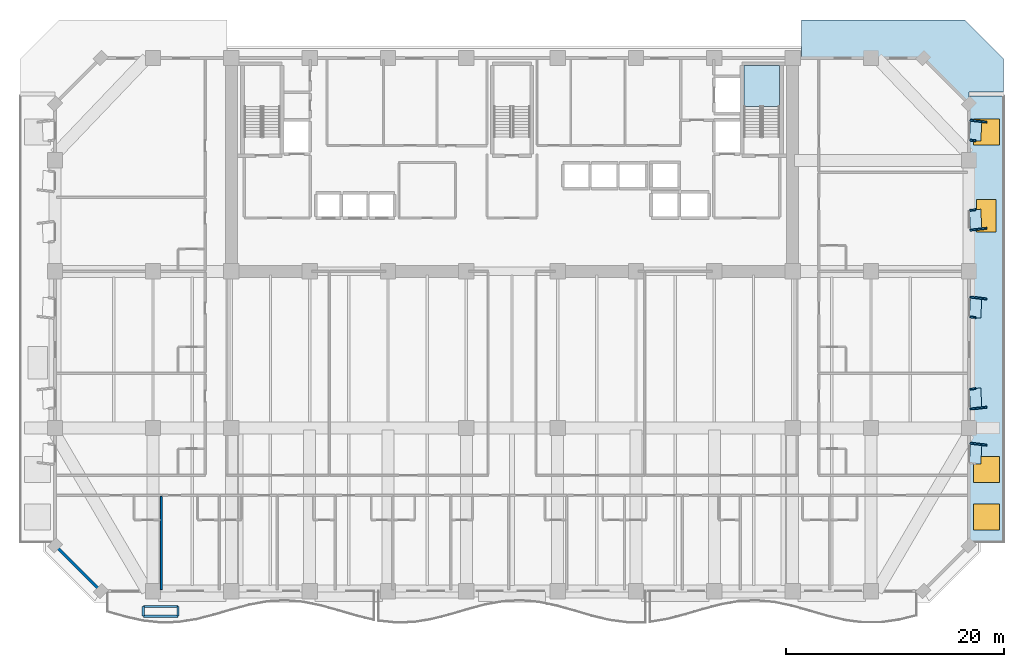
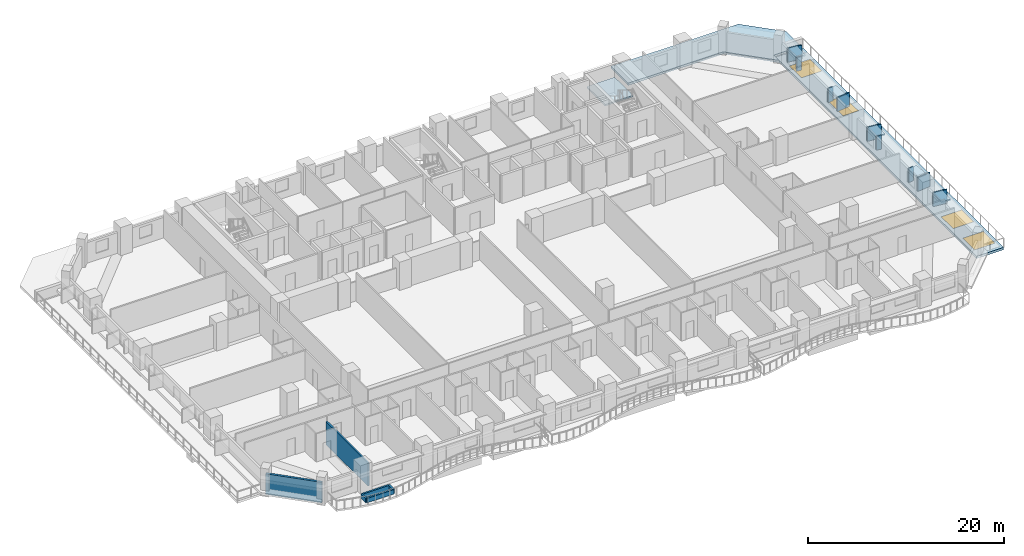
# One storey, part 4 of 17: 14 plates, 6 walls, 4 windows, 3 slabs, 4 openings, 1 element without a shape of its own.
"""IFC4 building model written with IfcOpenShell, lengths in metres."""

from ifc_helpers import new_model, si_unit, direction, frame, frame_2d, origin, origin_2d, place, context, subcontext, project, spatial, polyline, rectangle, outline, extrude, material, layer, layer_set, type_object, element, fill, aggregate, save


model = new_model("IFC4")

# Units and contexts
model_context = context("Model", 3, precision=1e-05, world=origin(), true_north=direction((0.0, 1.0)))
body_context = subcontext(model_context, "Body", "Model", "MODEL_VIEW")
ifc_project = project(units=[si_unit("LENGTHUNIT", "METRE"), si_unit("AREAUNIT", "SQUARE_METRE"), si_unit("VOLUMEUNIT", "CUBIC_METRE"), si_unit("PLANEANGLEUNIT", "RADIAN"), si_unit("MASSUNIT", "GRAM", prefix="KILO")], contexts=[model_context])

# Site, building, storey
site_placement = place(None, origin())
site = spatial("IfcSite", under=ifc_project, at=site_placement, CompositionType="ELEMENT")
building_placement = place(site_placement, origin())
building = spatial("IfcBuilding", under=site, at=building_placement, Name="Kaelvorn Grand Hotel", CompositionType="ELEMENT")
storey_placement = place(building_placement, frame((0.0, 0.0, 31.39990234375)))
storey = spatial("IfcBuildingStorey", under=building, at=storey_placement, Name="L05", CompositionType="ELEMENT", Elevation=31.39990234375)

# Plates
ifc_material_1 = material(Name="Precast concrete C45/55", Category="concrete")
ifc_layer_1 = layer(ifc_material_1, 0.159912109375)
ifc_layer_set_1 = layer_set([ifc_layer_1], Name="Precast concrete C45/55")
plate_type_1 = type_object("IfcPlateType", Name="PL-FRAME-DEEP-1550", PredefinedType="USERDEFINED", material=ifc_layer_set_1)
for number, where, z_axis, x_axis, name in (
    (1, (84.864990234375, 13.514892578125, 0.68994140625), (0.0, 0.0, 1.0), (0.121869343405, 0.992546151641, 0.0), "L05 Tilted Precast Window Frame Fin R-E01"),
    (2, (84.864990234375, 16.820068359375, 0.68994140625), (0.0, 0.0, 1.0), (-0.121869343405, 0.992546151641, 0.0), "L05 Tilted Precast Window Frame Fin L-E02"),
    (3, (84.864990234375, 26.949951171875, 0.68994140625), (0.0, 0.0, 1.0), (0.121869343405, 0.992546151641, 0.0), "L05 Tilted Precast Window Frame Fin R-E03"),
    (4, (84.864990234375, 33.260009765625, 0.68994140625), (0.0, 0.0, 1.0), (-0.121869343405, 0.992546151641, 0.0), "L05 Tilted Precast Window Frame Fin L-E04"),
    (5, (84.864990234375, 43.205078125, 0.68994140625), (0.0, 0.0, 1.0), (0.121869343405, 0.992546151641, 0.0), "L05 Tilted Precast Window Frame Fin R-E05"),
):
    element("IfcPlate", number, at=place(storey_placement, frame(where, z_axis=z_axis, x_axis=x_axis)), inside=storey, type_object=plate_type_1, Name=name, ObjectType="FLANGE_PLATE", PredefinedType="USERDEFINED", context=body_context, shape_type="SweptSolid", body=[
        extrude(rectangle(XDim=0.159912109375, YDim=1.550048828125, at=origin_2d()), origin(), (0.0, 0.0, 1.0), 1.719970703125),
    ])
ifc_layer_2 = layer(ifc_material_1, 0.159912109375)
ifc_layer_set_2 = layer_set([ifc_layer_2], Name="Precast concrete C45/55")
plate_type_2 = type_object("IfcPlateType", Name="PL-FRAME-HEAD-1050", PredefinedType="USERDEFINED", material=ifc_layer_set_2)
for number, where, z_axis, x_axis, name in (
    (6, (84.614990234375, 12.625, 2.25), (0.0, 0.0, 1.0), (0.054950179912, 0.998489097451, 0.0), "L05 Precast Window Frame Head Hood H-E01"),
    (7, (84.614990234375, 17.7099609375, 2.25), (0.0, 0.0, 1.0), (-0.054950179912, 0.998489097451, 0.0), "L05 Precast Window Frame Head Hood H-E02"),
    (8, (84.614990234375, 26.06005859375, 2.25), (0.0, 0.0, 1.0), (0.054950179912, 0.998489097451, 0.0), "L05 Precast Window Frame Head Hood H-E03"),
    (9, (84.614990234375, 34.14990234375, 2.25), (0.0, 0.0, 1.0), (-0.054950179912, 0.998489097451, 0.0), "L05 Precast Window Frame Head Hood H-E04"),
    (10, (84.614990234375, 42.31494140625, 2.25), (0.0, 0.0, 1.0), (0.054950179912, 0.998489097451, 0.0), "L05 Precast Window Frame Head Hood H-E05"),
):
    element("IfcPlate", number, at=place(storey_placement, frame(where, z_axis=z_axis, x_axis=x_axis)), inside=storey, type_object=plate_type_2, Name=name, ObjectType="FLANGE_PLATE", PredefinedType="USERDEFINED", context=body_context, shape_type="SweptSolid", body=[
        extrude(rectangle(XDim=1.860107421875, YDim=1.050048828125, at=origin_2d()), origin(), (0.0, 0.0, 1.0), 0.159912109375),
    ])
ifc_layer_3 = layer(ifc_material_1, 0.159912109375)
ifc_layer_set_3 = layer_set([ifc_layer_3], Name="Precast concrete C45/55")
plate_type_3 = type_object("IfcPlateType", Name="PL-FRAME-SHAL-550", PredefinedType="USERDEFINED", material=ifc_layer_set_3)
for number, where, z_axis, x_axis, name in (
    (11, (84.364990234375, 18.60009765625, 0.68994140625), (0.0, 0.0, 1.0), (-0.121869343405, 0.992546151641, 0.0), "L05 Tilted Precast Window Frame Fin R-E02"),
    (12, (84.364990234375, 25.169921875, 0.68994140625), (0.0, 0.0, 1.0), (0.121869343405, 0.992546151641, 0.0), "L05 Tilted Precast Window Frame Fin L-E03"),
    (13, (84.364990234375, 35.0400390625, 0.68994140625), (0.0, 0.0, 1.0), (-0.121869343405, 0.992546151641, 0.0), "L05 Tilted Precast Window Frame Fin R-E04"),
    (14, (84.364990234375, 41.425048828125, 0.68994140625), (0.0, 0.0, 1.0), (0.121869343405, 0.992546151641, 0.0), "L05 Tilted Precast Window Frame Fin L-E05"),
):
    element("IfcPlate", number, at=place(storey_placement, frame(where, z_axis=z_axis, x_axis=x_axis)), inside=storey, type_object=plate_type_3, Name=name, ObjectType="FLANGE_PLATE", PredefinedType="USERDEFINED", context=body_context, shape_type="SweptSolid", body=[
        extrude(rectangle(XDim=0.159912109375, YDim=0.550048828125, at=origin_2d()), origin(), (0.0, 0.0, 1.0), 1.719970703125),
    ])

# Stair, slab
ifc_material_2 = material(Name="Concrete C40/50", Category="concrete")
stair_type = type_object("IfcStairType", Name="STR-DOG-1560-R06", PredefinedType="HALF_TURN_STAIR", material=ifc_material_2)
stair_placement = place(storey_placement, origin())
stair = element("IfcStair", 15, at=stair_placement, inside=storey, type_object=stair_type, Name="L05 East Core Exit Stair ST3", PredefinedType="HALF_TURN_STAIR")
ifc_layer_4 = layer(ifc_material_2, 0.199951171875)
ifc_layer_set_4 = layer_set([ifc_layer_4], Name="Concrete C40/50")
slab_type_1 = type_object("IfcSlabType", Name="SLB-LAND-200-C40", PredefinedType="LANDING", material=ifc_layer_set_4)
slab_1_placement = place(storey_placement, frame((0.0, 0.0, 1.675048828125)))
slab_1 = element("IfcSlab", 16, at=slab_1_placement, type_object=slab_type_1, Name="ST3 landing 1", PredefinedType="LANDING", context=body_context, shape_type="SweptSolid", body=[
    extrude(outline(polyline([(66.60009765625, 44.56005859375), (66.60009765625, 48.300048828125), (63.320068359375, 48.300048828125), (63.320068359375, 44.56005859375), (66.60009765625, 44.56005859375)])), origin(), (0.0, 0.0, 1.0), 0.199951171875),
])
aggregate(stair, [slab_1])

# Slab, openings, windows
ifc_layer_5 = layer(ifc_material_2, 0.280029296875)
ifc_layer_set_5 = layer_set([ifc_layer_5], Name="Concrete C40/50")
slab_type_2 = type_object("IfcSlabType", Name="SLB-TERR-280-C40", PredefinedType="ROOF", material=ifc_layer_set_5)
slab_2_placement = place(storey_placement, frame((0.0, 0.0, -0.27978515625)))
slab_2 = element("IfcSlab", 17, at=slab_2_placement, inside=storey, type_object=slab_type_2, Name="L05 Setback Sky Terrace Roof Slab E", PredefinedType="ROOF", context=body_context, shape_type="SweptSolid", body=[
    extrude(outline(polyline([(84.0, 4.5), (87.199951171875, 4.5), (87.199951171875, 45.5), (84.0, 45.5), (84.0, 4.5)])), origin(), (0.0, 0.0, 1.0), 0.27978515625),
])
opening_1_placement = place(slab_2_placement, frame((85.60009765625, 34.5, -0.010009765625)))
opening_1 = element("IfcOpeningElement", 18, at=opening_1_placement, cuts=slab_2, Name="Opening SK2", PredefinedType="OPENING", context=body_context, shape_type="SweptSolid", body=[
    extrude(rectangle(XDim=1.800048828125, YDim=3.0, at=origin_2d()), origin(), (0.0, 0.0, 1.0), 0.2998046875),
])
opening_2_placement = place(slab_2_placement, frame((85.60009765625, 6.800048828125, -0.010009765625)))
opening_2 = element("IfcOpeningElement", 19, at=opening_2_placement, cuts=slab_2, Name="Opening SK1", PredefinedType="OPENING", context=body_context, shape_type="SweptSolid", body=[
    extrude(rectangle(XDim=2.39990234375, YDim=2.39990234375, at=origin_2d()), origin(), (0.0, 0.0, 1.0), 0.2998046875),
])
opening_3_placement = place(slab_2_placement, frame((85.60009765625, 11.199951171875, -0.010009765625)))
opening_3 = element("IfcOpeningElement", 20, at=opening_3_placement, cuts=slab_2, Name="Opening SK1", PredefinedType="OPENING", context=body_context, shape_type="SweptSolid", body=[
    extrude(rectangle(XDim=2.39990234375, YDim=2.39990234375, at=origin_2d()), origin(), (0.0, 0.0, 1.0), 0.2998046875),
])
opening_4_placement = place(slab_2_placement, frame((85.60009765625, 42.199951171875, -0.010009765625)))
opening_4 = element("IfcOpeningElement", 21, at=opening_4_placement, cuts=slab_2, Name="Opening SK1", PredefinedType="OPENING", context=body_context, shape_type="SweptSolid", body=[
    extrude(rectangle(XDim=2.39990234375, YDim=2.39990234375, at=origin_2d()), origin(), (0.0, 0.0, 1.0), 0.2998046875),
])
ifc_material_3 = material(Name="Laminated Low-E Glass", Category="glass")
window_type_1 = type_object("IfcWindowType", Name="SKY-POD-3000x3000", PartitioningType="SINGLE_PANEL", PredefinedType="SKYLIGHT", material=ifc_material_3)
window_1_placement = place(slab_2_placement, frame((85.60009765625, 34.5, 0.229736328125)))
window_1 = element("IfcWindow", 22, at=window_1_placement, inside=storey, type_object=window_type_1, Name="L05 Podium Terrace Foyer Skylight SK2-2", OverallHeight=3.0, OverallWidth=1.800048828125, PartitioningType="SINGLE_PANEL", PredefinedType="SKYLIGHT", context=body_context, shape_type="SweptSolid", body=[
    extrude(rectangle(XDim=1.800048828125, YDim=3.0, at=origin_2d()), origin(), (0.0, 0.0, 1.0), 0.050048828125),
])
fill(opening_1, window_1)
window_type_2 = type_object("IfcWindowType", Name="SKY-ROOF-2400x2400", PartitioningType="SINGLE_PANEL", PredefinedType="SKYLIGHT", material=ifc_material_3)
window_2_placement = place(slab_2_placement, frame((85.60009765625, 6.800048828125, 0.229736328125)))
window_2 = element("IfcWindow", 23, at=window_2_placement, inside=storey, type_object=window_type_2, Name="L05 Podium Wing Roof Daylight Skylight SK1-04", OverallHeight=2.39990234375, OverallWidth=2.39990234375, PartitioningType="SINGLE_PANEL", PredefinedType="SKYLIGHT", context=body_context, shape_type="SweptSolid", body=[
    extrude(rectangle(XDim=2.39990234375, YDim=2.39990234375, at=origin_2d()), origin(), (0.0, 0.0, 1.0), 0.050048828125),
])
fill(opening_2, window_2)
window_3_placement = place(slab_2_placement, frame((85.60009765625, 11.199951171875, 0.229736328125)))
window_3 = element("IfcWindow", 24, at=window_3_placement, inside=storey, type_object=window_type_2, Name="L05 Podium Wing Roof Daylight Skylight SK1-05", OverallHeight=2.39990234375, OverallWidth=2.39990234375, PartitioningType="SINGLE_PANEL", PredefinedType="SKYLIGHT", context=body_context, shape_type="SweptSolid", body=[
    extrude(rectangle(XDim=2.39990234375, YDim=2.39990234375, at=origin_2d()), origin(), (0.0, 0.0, 1.0), 0.050048828125),
])
fill(opening_3, window_3)
window_4_placement = place(slab_2_placement, frame((85.60009765625, 42.199951171875, 0.229736328125)))
window_4 = element("IfcWindow", 25, at=window_4_placement, inside=storey, type_object=window_type_2, Name="L05 Podium Wing Roof Daylight Skylight SK1-06", OverallHeight=2.39990234375, OverallWidth=2.39990234375, PartitioningType="SINGLE_PANEL", PredefinedType="SKYLIGHT", context=body_context, shape_type="SweptSolid", body=[
    extrude(rectangle(XDim=2.39990234375, YDim=2.39990234375, at=origin_2d()), origin(), (0.0, 0.0, 1.0), 0.050048828125),
])
fill(opening_4, window_4)

# Slab
slab_3_placement = place(storey_placement, frame((0.0, 0.0, -0.27978515625)))
element("IfcSlab", 26, at=slab_3_placement, inside=storey, type_object=slab_type_2, Name="L05 Podium Corner Roof Slab NE", PredefinedType="ROOF", context=body_context, shape_type="SweptSolid", body=[
    extrude(outline(polyline([(87.199951171875, 45.89990234375), (87.199951171875, 48.89990234375), (83.60009765625, 52.5), (68.60009765625, 52.5), (68.60009765625, 49.0), (79.800048828125, 49.0), (84.0, 44.800048828125), (84.0, 45.89990234375), (87.199951171875, 45.89990234375)])), origin(), (0.0, 0.0, 1.0), 0.27978515625),
])

# Walls
ifc_layer_6 = layer(ifc_material_2, 0.260009765625)
ifc_layer_set_6 = layer_set([ifc_layer_6], Name="Concrete C40/50")
wall_type_1 = type_object("IfcWallType", Name="WL-EXT-260-C40", PredefinedType="SOLIDWALL", material=ifc_layer_set_6)
wall_1_placement = place(storey_placement, frame((0.0, 4.199951171875, 0.0), z_axis=(0.0, 0.0, 1.0), x_axis=(0.707106781187, -0.707106781187, 0.0)))
element("IfcWall", 27, at=wall_1_placement, inside=storey, type_object=wall_type_1, Name="L05 Exterior Architectural Concrete Wall 08", PredefinedType="SOLIDWALL", context=body_context, shape_type="SweptSolid", body=[
    extrude(rectangle(XDim=5.939697265625, YDim=0.260009765625, at=frame_2d((2.9697265625, 0.0))), origin(), (0.0, 0.0, 1.0), 2.56005859375),
])
ifc_material_4 = material(Name="Acoustic Gypsum & Stud Partition")
ifc_layer_7 = layer(ifc_material_4, 0.179931640625)
ifc_layer_set_7 = layer_set([ifc_layer_7], Name="Acoustic Gypsum & Stud Partition")
wall_type_2 = type_object("IfcWallType", Name="WL-PART-180-EI60", PredefinedType="PARTITIONING", material=ifc_layer_set_7)
wall_2_placement = place(storey_placement, frame((9.771240234375, 0.14990234375, 0.0), z_axis=(0.0, 0.0, 1.0), x_axis=(0.0, 1.0, 0.0)))
element("IfcWall", 28, at=wall_2_placement, inside=storey, type_object=wall_type_2, Name="L05 Deluxe Panoramic Suite L05-01 E Partition", PredefinedType="PARTITIONING", context=body_context, shape_type="SweptSolid", body=[
    extrude(rectangle(XDim=8.55517578125, YDim=0.179931640625, at=frame_2d((4.277587890625, 0.0))), origin(), (0.0, 0.0, 1.0), 2.880126953125),
])
ifc_layer_8 = layer(ifc_material_2, 0.199951171875)
ifc_layer_set_8 = layer_set([ifc_layer_8], Name="Concrete C40/50")
wall_type_3 = type_object("IfcWallType", Name="WL-TREE-PLANTER-200", PredefinedType="PARAPET", material=ifc_layer_set_8)
wall_3_placement = place(storey_placement, frame((8.106689453125, -2.300048828125, 0.0), z_axis=(0.0, 0.0, 1.0), x_axis=(1.0, 0.0, 0.0)))
element("IfcWall", 29, at=wall_3_placement, inside=storey, type_object=wall_type_3, Name="L05 Planted Balcony Structural TREE PLANTER Kerb 1-S", PredefinedType="PARAPET", context=body_context, shape_type="SweptSolid", body=[
    extrude(rectangle(XDim=3.199951171875, YDim=0.199951171875, at=frame_2d((1.60009765625, 0.0))), origin(), (0.0, 0.0, 1.0), 0.550048828125),
])
wall_4_placement = place(storey_placement, frame((11.306640625, -2.300048828125, 0.0), z_axis=(0.0, 0.0, 1.0), x_axis=(0.0, 1.0, 0.0)))
element("IfcWall", 30, at=wall_4_placement, inside=storey, type_object=wall_type_3, Name="L05 Planted Balcony Structural TREE PLANTER Kerb 1-E", PredefinedType="PARAPET", context=body_context, shape_type="SweptSolid", body=[
    extrude(rectangle(XDim=0.900146484375, YDim=0.199951171875, at=frame_2d((0.4501953125, 0.0))), origin(), (0.0, 0.0, 1.0), 0.550048828125),
])
wall_5_placement = place(storey_placement, frame((11.306640625, -1.39990234375, 0.0), z_axis=(0.0, 0.0, 1.0), x_axis=(-1.0, 0.0, 0.0)))
element("IfcWall", 31, at=wall_5_placement, inside=storey, type_object=wall_type_3, Name="L05 Planted Balcony Structural TREE PLANTER Kerb 1-N", PredefinedType="PARAPET", context=body_context, shape_type="SweptSolid", body=[
    extrude(rectangle(XDim=3.199951171875, YDim=0.199951171875, at=frame_2d((1.60009765625, 0.0))), origin(), (0.0, 0.0, 1.0), 0.550048828125),
])
wall_6_placement = place(storey_placement, frame((8.106689453125, -1.39990234375, 0.0), z_axis=(0.0, 0.0, 1.0), x_axis=(0.0, -1.0, 0.0)))
element("IfcWall", 32, at=wall_6_placement, inside=storey, type_object=wall_type_3, Name="L05 Planted Balcony Structural TREE PLANTER Kerb 1-W", PredefinedType="PARAPET", context=body_context, shape_type="SweptSolid", body=[
    extrude(rectangle(XDim=0.900146484375, YDim=0.199951171875, at=frame_2d((0.4501953125, 0.0))), origin(), (0.0, 0.0, 1.0), 0.550048828125),
])

save(model, "model.ifc")
